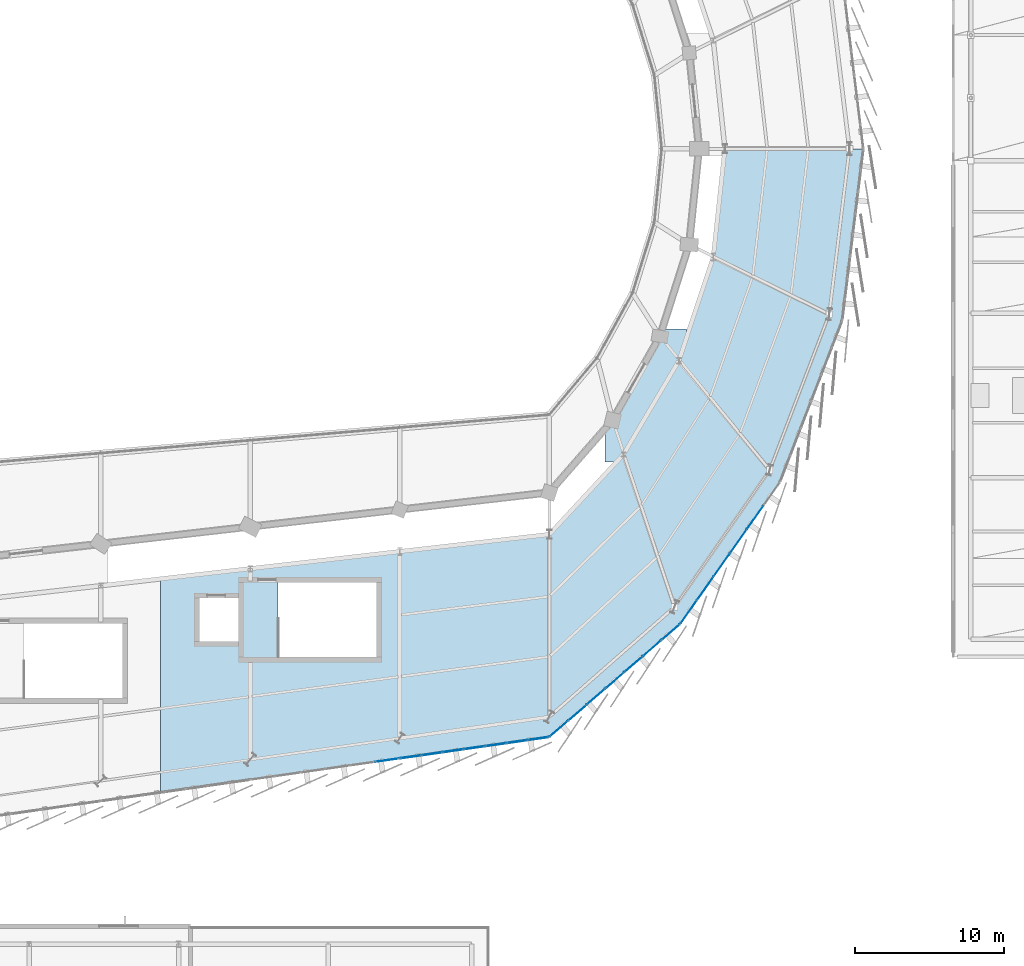
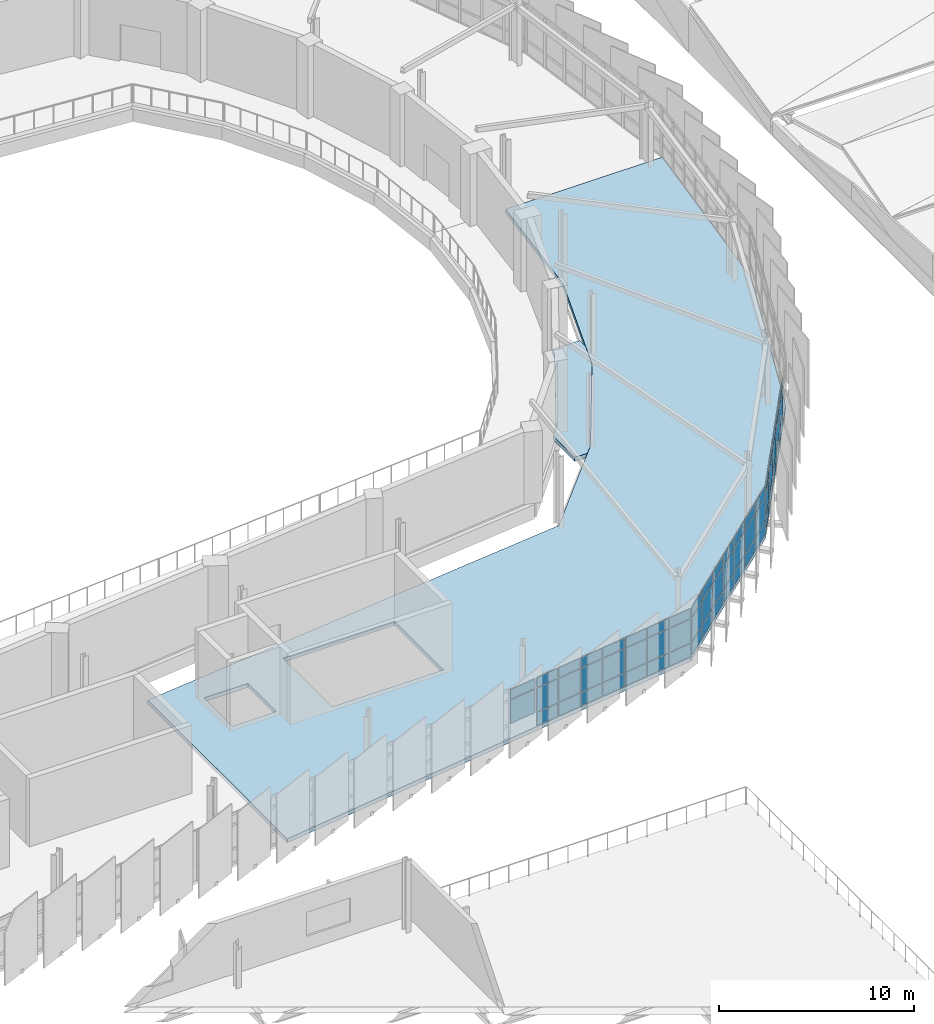
# One storey, part 69 of 87: 59 plates, 2 slabs, 4 elements without a shape of their own.
"""IFC4 building model written with IfcOpenShell, lengths in metres."""

from ifc_helpers import new_model, si_unit, direction, frame, origin, origin_2d, place, context, subcontext, project, spatial, polyline, rectangle, outline, extrude, material, layer, layer_set, type_object, element, aggregate, save


model = new_model("IFC4")

# Units and contexts
model_context = context("Model", 3, precision=1e-05, world=origin(), true_north=direction((0.0, 1.0)))
body_context = subcontext(model_context, "Body", "Model", "MODEL_VIEW")
ifc_project = project(units=[si_unit("LENGTHUNIT", "METRE"), si_unit("AREAUNIT", "SQUARE_METRE"), si_unit("VOLUMEUNIT", "CUBIC_METRE"), si_unit("PLANEANGLEUNIT", "RADIAN"), si_unit("MASSUNIT", "GRAM", prefix="KILO")], contexts=[model_context])

# Site, building, storey
site_placement = place(None, origin())
site = spatial("IfcSite", under=ifc_project, at=site_placement, CompositionType="ELEMENT")
building_placement = place(site_placement, origin())
building = spatial("IfcBuilding", under=site, at=building_placement, Name="Sohan Crest Arena", CompositionType="ELEMENT")
storey_placement = place(building_placement, frame((0.0, 0.0, 18.0)))
storey = spatial("IfcBuildingStorey", under=building, at=storey_placement, Name="L04", CompositionType="ELEMENT", Elevation=18.0)

# Curtain wall, plates
ifc_material_1 = material(Name="Thermally broken anodised aluminium", Category="aluminium")
ifc_layer_1 = layer(ifc_material_1, 0.219970703125, Name="Thermally broken anodised aluminium")
ifc_layer_set_1 = layer_set([ifc_layer_1], Name="Thermally broken anodised aluminium")
curtain_wall_type_1 = type_object("IfcCurtainWallType", Name="ARC-CW03", PredefinedType="NOTDEFINED", material=ifc_layer_set_1)
curtain_wall_1_placement = place(storey_placement, origin())
curtain_wall_1 = element("IfcCurtainWall", 1, at=curtain_wall_1_placement, inside=storey, type_object=curtain_wall_type_1, Name="Unitised curtain wall CW-132", PredefinedType="NOTDEFINED")
ifc_material_2 = material(Name="Low-E double-glazed insulated glass", Category="glass")
ifc_layer_2 = layer(ifc_material_2, 0.028076171875, Name="Low-E double-glazed insulated glass")
ifc_layer_set_2 = layer_set([ifc_layer_2], Name="Low-E double-glazed insulated glass")
plate_type_1 = type_object("IfcPlateType", Name="ARC-CNP01", PredefinedType="CURTAIN_PANEL", material=ifc_layer_set_2)
plate_1_placement = place(storey_placement, frame((177.330078125, 47.023681640625, 0.070068359375), z_axis=(0.0, 0.0, 1.0), x_axis=(0.575424969546, 0.817854574128, 0.0)))
plate_1 = element("IfcPlate", 2, at=plate_1_placement, type_object=plate_type_1, Name="CW-132 panel 1.1", PredefinedType="CURTAIN_PANEL", context=body_context, shape_type="SweptSolid", body=[
    extrude(rectangle(XDim=1.840576171875, YDim=0.028076171875, at=origin_2d()), origin(), (0.0, 0.0, 1.0), 0.794921875),
])
plate_2_placement = place(storey_placement, frame((177.330078125, 47.023681640625, 0.93505859375), z_axis=(0.0, 0.0, 1.0), x_axis=(0.575424969546, 0.817854574128, 0.0)))
plate_2 = element("IfcPlate", 3, at=plate_2_placement, type_object=plate_type_1, Name="CW-132 panel 1.2", PredefinedType="CURTAIN_PANEL", context=body_context, shape_type="SweptSolid", body=[
    extrude(rectangle(XDim=1.840576171875, YDim=0.028076171875, at=origin_2d()), origin(), (0.0, 0.0, 1.0), 1.449951171875),
])
plate_3_placement = place(storey_placement, frame((177.330078125, 47.023681640625, 2.455078125), z_axis=(0.0, 0.0, 1.0), x_axis=(0.575424969546, 0.817854574128, 0.0)))
plate_3 = element("IfcPlate", 4, at=plate_3_placement, type_object=plate_type_1, Name="CW-132 panel 1.3", PredefinedType="CURTAIN_PANEL", context=body_context, shape_type="SweptSolid", body=[
    extrude(rectangle(XDim=1.840576171875, YDim=0.028076171875, at=origin_2d()), origin(), (0.0, 0.0, 1.0), 0.594970703125),
])
plate_4_placement = place(storey_placement, frame((178.43212890625, 48.59033203125, 0.070068359375), z_axis=(0.0, 0.0, 1.0), x_axis=(0.575424969546, 0.817854574128, 0.0)))
plate_4 = element("IfcPlate", 5, at=plate_4_placement, type_object=plate_type_1, Name="CW-132 panel 2.1", PredefinedType="CURTAIN_PANEL", context=body_context, shape_type="SweptSolid", body=[
    extrude(rectangle(XDim=1.870361328125, YDim=0.028076171875, at=origin_2d()), origin(), (0.0, 0.0, 1.0), 0.794921875),
])
plate_5_placement = place(storey_placement, frame((178.43212890625, 48.59033203125, 0.93505859375), z_axis=(0.0, 0.0, 1.0), x_axis=(0.575424969546, 0.817854574128, 0.0)))
plate_5 = element("IfcPlate", 6, at=plate_5_placement, type_object=plate_type_1, Name="CW-132 panel 2.2", PredefinedType="CURTAIN_PANEL", context=body_context, shape_type="SweptSolid", body=[
    extrude(rectangle(XDim=1.870361328125, YDim=0.028076171875, at=origin_2d()), origin(), (0.0, 0.0, 1.0), 1.449951171875),
])
plate_6_placement = place(storey_placement, frame((178.43212890625, 48.59033203125, 2.455078125), z_axis=(0.0, 0.0, 1.0), x_axis=(0.575424969546, 0.817854574128, 0.0)))
plate_6 = element("IfcPlate", 7, at=plate_6_placement, type_object=plate_type_1, Name="CW-132 panel 2.3", PredefinedType="CURTAIN_PANEL", context=body_context, shape_type="SweptSolid", body=[
    extrude(rectangle(XDim=1.870361328125, YDim=0.028076171875, at=origin_2d()), origin(), (0.0, 0.0, 1.0), 0.594970703125),
])
plate_7_placement = place(storey_placement, frame((179.54296875, 50.169189453125, 0.070068359375), z_axis=(0.0, 0.0, 1.0), x_axis=(0.575424969546, 0.817854574128, 0.0)))
plate_7 = element("IfcPlate", 8, at=plate_7_placement, type_object=plate_type_1, Name="CW-132 panel 3.1", PredefinedType="CURTAIN_PANEL", context=body_context, shape_type="SweptSolid", body=[
    extrude(rectangle(XDim=1.870361328125, YDim=0.028076171875, at=origin_2d()), origin(), (0.0, 0.0, 1.0), 0.794921875),
])
plate_8_placement = place(storey_placement, frame((179.54296875, 50.169189453125, 0.93505859375), z_axis=(0.0, 0.0, 1.0), x_axis=(0.575424969546, 0.817854574128, 0.0)))
plate_8 = element("IfcPlate", 9, at=plate_8_placement, type_object=plate_type_1, Name="CW-132 panel 3.2", PredefinedType="CURTAIN_PANEL", context=body_context, shape_type="SweptSolid", body=[
    extrude(rectangle(XDim=1.870361328125, YDim=0.028076171875, at=origin_2d()), origin(), (0.0, 0.0, 1.0), 1.449951171875),
])
plate_9_placement = place(storey_placement, frame((179.54296875, 50.169189453125, 2.455078125), z_axis=(0.0, 0.0, 1.0), x_axis=(0.575424969546, 0.817854574128, 0.0)))
plate_9 = element("IfcPlate", 10, at=plate_9_placement, type_object=plate_type_1, Name="CW-132 panel 3.3", PredefinedType="CURTAIN_PANEL", context=body_context, shape_type="SweptSolid", body=[
    extrude(rectangle(XDim=1.870361328125, YDim=0.028076171875, at=origin_2d()), origin(), (0.0, 0.0, 1.0), 0.594970703125),
])
plate_10_placement = place(storey_placement, frame((180.65380859375, 51.747802734375, 0.070068359375), z_axis=(0.0, 0.0, 1.0), x_axis=(0.575424969546, 0.817854574128, 0.0)))
plate_10 = element("IfcPlate", 11, at=plate_10_placement, type_object=plate_type_1, Name="CW-132 panel 4.1", PredefinedType="CURTAIN_PANEL", context=body_context, shape_type="SweptSolid", body=[
    extrude(rectangle(XDim=1.870361328125, YDim=0.028076171875, at=origin_2d()), origin(), (0.0, 0.0, 1.0), 0.794921875),
])
plate_11_placement = place(storey_placement, frame((180.65380859375, 51.747802734375, 0.93505859375), z_axis=(0.0, 0.0, 1.0), x_axis=(0.575424969546, 0.817854574128, 0.0)))
plate_11 = element("IfcPlate", 12, at=plate_11_placement, type_object=plate_type_1, Name="CW-132 panel 4.2", PredefinedType="CURTAIN_PANEL", context=body_context, shape_type="SweptSolid", body=[
    extrude(rectangle(XDim=1.870361328125, YDim=0.028076171875, at=origin_2d()), origin(), (0.0, 0.0, 1.0), 1.449951171875),
])
plate_12_placement = place(storey_placement, frame((180.65380859375, 51.747802734375, 2.455078125), z_axis=(0.0, 0.0, 1.0), x_axis=(0.575424969546, 0.817854574128, 0.0)))
plate_12 = element("IfcPlate", 13, at=plate_12_placement, type_object=plate_type_1, Name="CW-132 panel 4.3", PredefinedType="CURTAIN_PANEL", context=body_context, shape_type="SweptSolid", body=[
    extrude(rectangle(XDim=1.870361328125, YDim=0.028076171875, at=origin_2d()), origin(), (0.0, 0.0, 1.0), 0.594970703125),
])
plate_13_placement = place(storey_placement, frame((181.7646484375, 53.32666015625, 0.070068359375), z_axis=(0.0, 0.0, 1.0), x_axis=(0.575424969546, 0.817854574128, 0.0)))
plate_13 = element("IfcPlate", 14, at=plate_13_placement, type_object=plate_type_1, Name="CW-132 panel 5.1", PredefinedType="CURTAIN_PANEL", context=body_context, shape_type="SweptSolid", body=[
    extrude(rectangle(XDim=1.870361328125, YDim=0.028076171875, at=origin_2d()), origin(), (0.0, 0.0, 1.0), 0.794921875),
])
plate_14_placement = place(storey_placement, frame((181.7646484375, 53.32666015625, 0.93505859375), z_axis=(0.0, 0.0, 1.0), x_axis=(0.575424969546, 0.817854574128, 0.0)))
plate_14 = element("IfcPlate", 15, at=plate_14_placement, type_object=plate_type_1, Name="CW-132 panel 5.2", PredefinedType="CURTAIN_PANEL", context=body_context, shape_type="SweptSolid", body=[
    extrude(rectangle(XDim=1.870361328125, YDim=0.028076171875, at=origin_2d()), origin(), (0.0, 0.0, 1.0), 1.449951171875),
])
plate_15_placement = place(storey_placement, frame((181.7646484375, 53.32666015625, 2.455078125), z_axis=(0.0, 0.0, 1.0), x_axis=(0.575424969546, 0.817854574128, 0.0)))
plate_15 = element("IfcPlate", 16, at=plate_15_placement, type_object=plate_type_1, Name="CW-132 panel 5.3", PredefinedType="CURTAIN_PANEL", context=body_context, shape_type="SweptSolid", body=[
    extrude(rectangle(XDim=1.870361328125, YDim=0.028076171875, at=origin_2d()), origin(), (0.0, 0.0, 1.0), 0.594970703125),
])
aggregate(curtain_wall_1, [plate_1, plate_2, plate_3, plate_4, plate_5, plate_6, plate_7, plate_8, plate_9, plate_10, plate_11, plate_12, plate_13, plate_14, plate_15])

ifc_layer_3 = layer(ifc_material_1, 0.2099609375, Name="Thermally broken anodised aluminium")
ifc_layer_set_3 = layer_set([ifc_layer_3], Name="Thermally broken anodised aluminium")
curtain_wall_type_2 = type_object("IfcCurtainWallType", Name="ARC-CW06", PredefinedType="NOTDEFINED", material=ifc_layer_set_3)
curtain_wall_2_placement = place(storey_placement, origin())
curtain_wall_2 = element("IfcCurtainWall", 17, at=curtain_wall_2_placement, inside=storey, type_object=curtain_wall_type_2, Name="Unitised curtain wall CW-129", PredefinedType="NOTDEFINED")
ifc_layer_4 = layer(ifc_material_2, 0.031982421875, Name="Low-E double-glazed insulated glass")
ifc_layer_set_4 = layer_set([ifc_layer_4], Name="Low-E double-glazed insulated glass")
plate_type_2 = type_object("IfcPlateType", Name="ARC-CNP02", PredefinedType="CURTAIN_PANEL", material=ifc_layer_set_4)
plate_16_placement = place(storey_placement, frame((157.150634765625, 37.099609375, 0.93505859375), z_axis=(0.0, 0.0, 1.0), x_axis=(0.989957411768, 0.141365918403, 0.0)))
plate_16 = element("IfcPlate", 18, at=plate_16_placement, type_object=plate_type_2, Name="CW-129 panel 6.2", PredefinedType="CURTAIN_PANEL", context=body_context, shape_type="SweptSolid", body=[
    extrude(rectangle(XDim=1.586181640625, YDim=0.031982421875, at=origin_2d()), origin(), (0.0, 0.0, 1.0), 1.449951171875),
])
plate_17_placement = place(storey_placement, frame((157.150634765625, 37.099609375, 2.455078125), z_axis=(0.0, 0.0, 1.0), x_axis=(0.989957411768, 0.141365918403, 0.0)))
plate_17 = element("IfcPlate", 19, at=plate_17_placement, type_object=plate_type_2, Name="CW-129 panel 6.3", PredefinedType="CURTAIN_PANEL", context=body_context, shape_type="SweptSolid", body=[
    extrude(rectangle(XDim=1.586181640625, YDim=0.031982421875, at=origin_2d()), origin(), (0.0, 0.0, 1.0), 0.594970703125),
])
aggregate(curtain_wall_2, [plate_16, plate_17])

ifc_layer_5 = layer(ifc_material_1, 0.179931640625, Name="Thermally broken anodised aluminium")
ifc_layer_set_5 = layer_set([ifc_layer_5], Name="Thermally broken anodised aluminium")
curtain_wall_type_3 = type_object("IfcCurtainWallType", Name="ARC-CW01", PredefinedType="NOTDEFINED", material=ifc_layer_set_5)
curtain_wall_3_placement = place(storey_placement, origin())
curtain_wall_3 = element("IfcCurtainWall", 20, at=curtain_wall_3_placement, inside=storey, type_object=curtain_wall_type_3, Name="Unitised curtain wall CW-130", PredefinedType="NOTDEFINED")
ifc_material_3 = material(Name="Ceramic-fritted solar-control insulated glass", Category="glass")
ifc_layer_6 = layer(ifc_material_3, 0.035888671875, Name="Ceramic-fritted solar-control insulated glass")
ifc_layer_set_6 = layer_set([ifc_layer_6], Name="Ceramic-fritted solar-control insulated glass")
plate_type_3 = type_object("IfcPlateType", Name="ARC-CNP03", PredefinedType="CURTAIN_PANEL", material=ifc_layer_set_6)
plate_18_placement = place(storey_placement, frame((158.731689453125, 37.325439453125, 0.06005859375), z_axis=(0.0, 0.0, 1.0), x_axis=(0.989943553128, 0.141462933734, 0.0)))
plate_18 = element("IfcPlate", 21, at=plate_18_placement, type_object=plate_type_3, Name="CW-130 panel 1.1", PredefinedType="CURTAIN_PANEL", context=body_context, shape_type="SweptSolid", body=[
    extrude(rectangle(XDim=1.338134765625, YDim=0.035888671875, at=origin_2d()), origin(), (0.0, 0.0, 1.0), 0.81005859375),
])
plate_19_placement = place(storey_placement, frame((158.731689453125, 37.325439453125, 0.929931640625), z_axis=(0.0, 0.0, 1.0), x_axis=(0.989943553128, 0.141462933734, 0.0)))
plate_19 = element("IfcPlate", 22, at=plate_19_placement, type_object=plate_type_3, Name="CW-130 panel 1.2", PredefinedType="CURTAIN_PANEL", context=body_context, shape_type="SweptSolid", body=[
    extrude(rectangle(XDim=1.338134765625, YDim=0.035888671875, at=origin_2d()), origin(), (0.0, 0.0, 1.0), 1.4599609375),
])
plate_20_placement = place(storey_placement, frame((158.731689453125, 37.325439453125, 2.44970703125), z_axis=(0.0, 0.0, 1.0), x_axis=(0.989943553128, 0.141462933734, 0.0)))
plate_20 = element("IfcPlate", 23, at=plate_20_placement, type_object=plate_type_3, Name="CW-130 panel 1.3", PredefinedType="CURTAIN_PANEL", context=body_context, shape_type="SweptSolid", body=[
    extrude(rectangle(XDim=1.338134765625, YDim=0.035888671875, at=origin_2d()), origin(), (0.0, 0.0, 1.0), 0.610107421875),
])
plate_21_placement = place(storey_placement, frame((160.142822265625, 37.527099609375, 0.06005859375), z_axis=(0.0, 0.0, 1.0), x_axis=(0.989943553128, 0.141462933734, 0.0)))
plate_21 = element("IfcPlate", 24, at=plate_21_placement, type_object=plate_type_3, Name="CW-130 panel 2.1", PredefinedType="CURTAIN_PANEL", context=body_context, shape_type="SweptSolid", body=[
    extrude(rectangle(XDim=1.373046875, YDim=0.035888671875, at=origin_2d()), origin(), (0.0, 0.0, 1.0), 0.81005859375),
])
plate_22_placement = place(storey_placement, frame((160.142822265625, 37.527099609375, 0.929931640625), z_axis=(0.0, 0.0, 1.0), x_axis=(0.989943553128, 0.141462933734, 0.0)))
plate_22 = element("IfcPlate", 25, at=plate_22_placement, type_object=plate_type_3, Name="CW-130 panel 2.2", PredefinedType="CURTAIN_PANEL", context=body_context, shape_type="SweptSolid", body=[
    extrude(rectangle(XDim=1.373046875, YDim=0.035888671875, at=origin_2d()), origin(), (0.0, 0.0, 1.0), 1.4599609375),
])
plate_23_placement = place(storey_placement, frame((160.142822265625, 37.527099609375, 2.44970703125), z_axis=(0.0, 0.0, 1.0), x_axis=(0.989943553128, 0.141462933734, 0.0)))
plate_23 = element("IfcPlate", 26, at=plate_23_placement, type_object=plate_type_3, Name="CW-130 panel 2.3", PredefinedType="CURTAIN_PANEL", context=body_context, shape_type="SweptSolid", body=[
    extrude(rectangle(XDim=1.373046875, YDim=0.035888671875, at=origin_2d()), origin(), (0.0, 0.0, 1.0), 0.610107421875),
])
plate_24_placement = place(storey_placement, frame((161.571533203125, 37.7314453125, 0.06005859375), z_axis=(0.0, 0.0, 1.0), x_axis=(0.989943553128, 0.141462933734, 0.0)))
plate_24 = element("IfcPlate", 27, at=plate_24_placement, type_object=plate_type_3, Name="CW-130 panel 3.1", PredefinedType="CURTAIN_PANEL", context=body_context, shape_type="SweptSolid", body=[
    extrude(rectangle(XDim=1.373046875, YDim=0.035888671875, at=origin_2d()), origin(), (0.0, 0.0, 1.0), 0.81005859375),
])
plate_25_placement = place(storey_placement, frame((161.571533203125, 37.7314453125, 0.929931640625), z_axis=(0.0, 0.0, 1.0), x_axis=(0.989943553128, 0.141462933734, 0.0)))
plate_25 = element("IfcPlate", 28, at=plate_25_placement, type_object=plate_type_3, Name="CW-130 panel 3.2", PredefinedType="CURTAIN_PANEL", context=body_context, shape_type="SweptSolid", body=[
    extrude(rectangle(XDim=1.373046875, YDim=0.035888671875, at=origin_2d()), origin(), (0.0, 0.0, 1.0), 1.4599609375),
])
plate_26_placement = place(storey_placement, frame((161.571533203125, 37.7314453125, 2.44970703125), z_axis=(0.0, 0.0, 1.0), x_axis=(0.989943553128, 0.141462933734, 0.0)))
plate_26 = element("IfcPlate", 29, at=plate_26_placement, type_object=plate_type_3, Name="CW-130 panel 3.3", PredefinedType="CURTAIN_PANEL", context=body_context, shape_type="SweptSolid", body=[
    extrude(rectangle(XDim=1.373046875, YDim=0.035888671875, at=origin_2d()), origin(), (0.0, 0.0, 1.0), 0.610107421875),
])
plate_27_placement = place(storey_placement, frame((163.0, 37.935546875, 0.06005859375), z_axis=(0.0, 0.0, 1.0), x_axis=(0.989943553128, 0.141462933734, 0.0)))
plate_27 = element("IfcPlate", 30, at=plate_27_placement, type_object=plate_type_3, Name="CW-130 panel 4.1", PredefinedType="CURTAIN_PANEL", context=body_context, shape_type="SweptSolid", body=[
    extrude(rectangle(XDim=1.373046875, YDim=0.035888671875, at=origin_2d()), origin(), (0.0, 0.0, 1.0), 0.81005859375),
])
plate_28_placement = place(storey_placement, frame((163.0, 37.935546875, 0.929931640625), z_axis=(0.0, 0.0, 1.0), x_axis=(0.989943553128, 0.141462933734, 0.0)))
plate_28 = element("IfcPlate", 31, at=plate_28_placement, type_object=plate_type_3, Name="CW-130 panel 4.2", PredefinedType="CURTAIN_PANEL", context=body_context, shape_type="SweptSolid", body=[
    extrude(rectangle(XDim=1.373046875, YDim=0.035888671875, at=origin_2d()), origin(), (0.0, 0.0, 1.0), 1.4599609375),
])
plate_29_placement = place(storey_placement, frame((163.0, 37.935546875, 2.44970703125), z_axis=(0.0, 0.0, 1.0), x_axis=(0.989943553128, 0.141462933734, 0.0)))
plate_29 = element("IfcPlate", 32, at=plate_29_placement, type_object=plate_type_3, Name="CW-130 panel 4.3", PredefinedType="CURTAIN_PANEL", context=body_context, shape_type="SweptSolid", body=[
    extrude(rectangle(XDim=1.373046875, YDim=0.035888671875, at=origin_2d()), origin(), (0.0, 0.0, 1.0), 0.610107421875),
])
plate_30_placement = place(storey_placement, frame((164.428466796875, 38.1396484375, 0.06005859375), z_axis=(0.0, 0.0, 1.0), x_axis=(0.989943553128, 0.141462933734, 0.0)))
plate_30 = element("IfcPlate", 33, at=plate_30_placement, type_object=plate_type_3, Name="CW-130 panel 5.1", PredefinedType="CURTAIN_PANEL", context=body_context, shape_type="SweptSolid", body=[
    extrude(rectangle(XDim=1.373046875, YDim=0.035888671875, at=origin_2d()), origin(), (0.0, 0.0, 1.0), 0.81005859375),
])
plate_31_placement = place(storey_placement, frame((164.428466796875, 38.1396484375, 0.929931640625), z_axis=(0.0, 0.0, 1.0), x_axis=(0.989943553128, 0.141462933734, 0.0)))
plate_31 = element("IfcPlate", 34, at=plate_31_placement, type_object=plate_type_3, Name="CW-130 panel 5.2", PredefinedType="CURTAIN_PANEL", context=body_context, shape_type="SweptSolid", body=[
    extrude(rectangle(XDim=1.373046875, YDim=0.035888671875, at=origin_2d()), origin(), (0.0, 0.0, 1.0), 1.4599609375),
])
plate_32_placement = place(storey_placement, frame((164.428466796875, 38.1396484375, 2.44970703125), z_axis=(0.0, 0.0, 1.0), x_axis=(0.989943553128, 0.141462933734, 0.0)))
plate_32 = element("IfcPlate", 35, at=plate_32_placement, type_object=plate_type_3, Name="CW-130 panel 5.3", PredefinedType="CURTAIN_PANEL", context=body_context, shape_type="SweptSolid", body=[
    extrude(rectangle(XDim=1.373046875, YDim=0.035888671875, at=origin_2d()), origin(), (0.0, 0.0, 1.0), 0.610107421875),
])
plate_33_placement = place(storey_placement, frame((165.857177734375, 38.34375, 0.06005859375), z_axis=(0.0, 0.0, 1.0), x_axis=(0.989943553128, 0.141462933734, 0.0)))
plate_33 = element("IfcPlate", 36, at=plate_33_placement, type_object=plate_type_3, Name="CW-130 panel 6.1", PredefinedType="CURTAIN_PANEL", context=body_context, shape_type="SweptSolid", body=[
    extrude(rectangle(XDim=1.373046875, YDim=0.035888671875, at=origin_2d()), origin(), (0.0, 0.0, 1.0), 0.81005859375),
])
plate_34_placement = place(storey_placement, frame((165.857177734375, 38.34375, 0.929931640625), z_axis=(0.0, 0.0, 1.0), x_axis=(0.989943553128, 0.141462933734, 0.0)))
plate_34 = element("IfcPlate", 37, at=plate_34_placement, type_object=plate_type_3, Name="CW-130 panel 6.2", PredefinedType="CURTAIN_PANEL", context=body_context, shape_type="SweptSolid", body=[
    extrude(rectangle(XDim=1.373046875, YDim=0.035888671875, at=origin_2d()), origin(), (0.0, 0.0, 1.0), 1.4599609375),
])
plate_35_placement = place(storey_placement, frame((165.857177734375, 38.34375, 2.44970703125), z_axis=(0.0, 0.0, 1.0), x_axis=(0.989943553128, 0.141462933734, 0.0)))
plate_35 = element("IfcPlate", 38, at=plate_35_placement, type_object=plate_type_3, Name="CW-130 panel 6.3", PredefinedType="CURTAIN_PANEL", context=body_context, shape_type="SweptSolid", body=[
    extrude(rectangle(XDim=1.373046875, YDim=0.035888671875, at=origin_2d()), origin(), (0.0, 0.0, 1.0), 0.610107421875),
])
plate_36_placement = place(storey_placement, frame((167.268310546875, 38.54541015625, 0.06005859375), z_axis=(0.0, 0.0, 1.0), x_axis=(0.989943553128, 0.141462933734, 0.0)))
plate_36 = element("IfcPlate", 39, at=plate_36_placement, type_object=plate_type_3, Name="CW-130 panel 7.1", PredefinedType="CURTAIN_PANEL", context=body_context, shape_type="SweptSolid", body=[
    extrude(rectangle(XDim=1.338134765625, YDim=0.035888671875, at=origin_2d()), origin(), (0.0, 0.0, 1.0), 0.81005859375),
])
plate_37_placement = place(storey_placement, frame((167.268310546875, 38.54541015625, 0.929931640625), z_axis=(0.0, 0.0, 1.0), x_axis=(0.989943553128, 0.141462933734, 0.0)))
plate_37 = element("IfcPlate", 40, at=plate_37_placement, type_object=plate_type_3, Name="CW-130 panel 7.2", PredefinedType="CURTAIN_PANEL", context=body_context, shape_type="SweptSolid", body=[
    extrude(rectangle(XDim=1.338134765625, YDim=0.035888671875, at=origin_2d()), origin(), (0.0, 0.0, 1.0), 1.4599609375),
])
plate_38_placement = place(storey_placement, frame((167.268310546875, 38.54541015625, 2.44970703125), z_axis=(0.0, 0.0, 1.0), x_axis=(0.989943553128, 0.141462933734, 0.0)))
plate_38 = element("IfcPlate", 41, at=plate_38_placement, type_object=plate_type_3, Name="CW-130 panel 7.3", PredefinedType="CURTAIN_PANEL", context=body_context, shape_type="SweptSolid", body=[
    extrude(rectangle(XDim=1.338134765625, YDim=0.035888671875, at=origin_2d()), origin(), (0.0, 0.0, 1.0), 0.610107421875),
])
aggregate(curtain_wall_3, [plate_18, plate_19, plate_20, plate_21, plate_22, plate_23, plate_24, plate_25, plate_26, plate_27, plate_28, plate_29, plate_30, plate_31, plate_32, plate_33, plate_34, plate_35, plate_36, plate_37, plate_38])

ifc_layer_7 = layer(ifc_material_1, 0.199951171875, Name="Thermally broken anodised aluminium")
ifc_layer_set_7 = layer_set([ifc_layer_7], Name="Thermally broken anodised aluminium")
curtain_wall_type_4 = type_object("IfcCurtainWallType", Name="ARC-CW02", PredefinedType="NOTDEFINED", material=ifc_layer_set_7)
curtain_wall_4_placement = place(storey_placement, origin())
curtain_wall_4 = element("IfcCurtainWall", 42, at=curtain_wall_4_placement, inside=storey, type_object=curtain_wall_type_4, Name="Unitised curtain wall CW-131", PredefinedType="NOTDEFINED")
ifc_material_4 = material(Name="Insulated polychrome ceramic spandrel panel", Category="masonry")
ifc_layer_8 = layer(ifc_material_4, 0.0419921875, Name="Insulated polychrome ceramic spandrel panel")
ifc_layer_set_8 = layer_set([ifc_layer_8], Name="Insulated polychrome ceramic spandrel panel")
plate_type_4 = type_object("IfcPlateType", Name="ARC-CNP04", PredefinedType="CURTAIN_PANEL", material=ifc_layer_set_8)
plate_39_placement = place(storey_placement, frame((168.640380859375, 39.203125, 0.06494140625), z_axis=(0.0, 0.0, 1.0), x_axis=(0.756764770633, 0.653687296748, 0.0)))
plate_39 = element("IfcPlate", 43, at=plate_39_placement, type_object=plate_type_4, Name="CW-131 panel 1.1", PredefinedType="CURTAIN_PANEL", context=body_context, shape_type="SweptSolid", body=[
    extrude(rectangle(XDim=1.542236328125, YDim=0.0419921875, at=origin_2d()), origin(), (0.0, 0.0, 1.0), 0.802490234375),
])
plate_40_placement = place(storey_placement, frame((168.640380859375, 39.203125, 0.932373046875), z_axis=(0.0, 0.0, 1.0), x_axis=(0.756764770633, 0.653687296748, 0.0)))
plate_40 = element("IfcPlate", 44, at=plate_40_placement, type_object=plate_type_4, Name="CW-131 panel 1.2", PredefinedType="CURTAIN_PANEL", context=body_context, shape_type="SweptSolid", body=[
    extrude(rectangle(XDim=1.542236328125, YDim=0.0419921875, at=origin_2d()), origin(), (0.0, 0.0, 1.0), 1.455078125),
])
plate_41_placement = place(storey_placement, frame((168.640380859375, 39.203125, 2.452392578125), z_axis=(0.0, 0.0, 1.0), x_axis=(0.756764770633, 0.653687296748, 0.0)))
plate_41 = element("IfcPlate", 45, at=plate_41_placement, type_object=plate_type_4, Name="CW-131 panel 1.3", PredefinedType="CURTAIN_PANEL", context=body_context, shape_type="SweptSolid", body=[
    extrude(rectangle(XDim=1.542236328125, YDim=0.0419921875, at=origin_2d()), origin(), (0.0, 0.0, 1.0), 0.6025390625),
])
plate_42_placement = place(storey_placement, frame((169.87841796875, 40.2724609375, 0.06494140625), z_axis=(0.0, 0.0, 1.0), x_axis=(0.756764770633, 0.653687296748, 0.0)))
plate_42 = element("IfcPlate", 46, at=plate_42_placement, type_object=plate_type_4, Name="CW-131 panel 2.1", PredefinedType="CURTAIN_PANEL", context=body_context, shape_type="SweptSolid", body=[
    extrude(rectangle(XDim=1.579833984375, YDim=0.0419921875, at=origin_2d()), origin(), (0.0, 0.0, 1.0), 0.802490234375),
])
plate_43_placement = place(storey_placement, frame((169.87841796875, 40.2724609375, 0.932373046875), z_axis=(0.0, 0.0, 1.0), x_axis=(0.756764770633, 0.653687296748, 0.0)))
plate_43 = element("IfcPlate", 47, at=plate_43_placement, type_object=plate_type_4, Name="CW-131 panel 2.2", PredefinedType="CURTAIN_PANEL", context=body_context, shape_type="SweptSolid", body=[
    extrude(rectangle(XDim=1.579833984375, YDim=0.0419921875, at=origin_2d()), origin(), (0.0, 0.0, 1.0), 1.455078125),
])
plate_44_placement = place(storey_placement, frame((169.87841796875, 40.2724609375, 2.452392578125), z_axis=(0.0, 0.0, 1.0), x_axis=(0.756764770633, 0.653687296748, 0.0)))
plate_44 = element("IfcPlate", 48, at=plate_44_placement, type_object=plate_type_4, Name="CW-131 panel 2.3", PredefinedType="CURTAIN_PANEL", context=body_context, shape_type="SweptSolid", body=[
    extrude(rectangle(XDim=1.579833984375, YDim=0.0419921875, at=origin_2d()), origin(), (0.0, 0.0, 1.0), 0.6025390625),
])
plate_45_placement = place(storey_placement, frame((171.130615234375, 41.354248046875, 0.06494140625), z_axis=(0.0, 0.0, 1.0), x_axis=(0.756764770633, 0.653687296748, 0.0)))
plate_45 = element("IfcPlate", 49, at=plate_45_placement, type_object=plate_type_4, Name="CW-131 panel 3.1", PredefinedType="CURTAIN_PANEL", context=body_context, shape_type="SweptSolid", body=[
    extrude(rectangle(XDim=1.579833984375, YDim=0.0419921875, at=origin_2d()), origin(), (0.0, 0.0, 1.0), 0.802490234375),
])
plate_46_placement = place(storey_placement, frame((171.130615234375, 41.354248046875, 0.932373046875), z_axis=(0.0, 0.0, 1.0), x_axis=(0.756764770633, 0.653687296748, 0.0)))
plate_46 = element("IfcPlate", 50, at=plate_46_placement, type_object=plate_type_4, Name="CW-131 panel 3.2", PredefinedType="CURTAIN_PANEL", context=body_context, shape_type="SweptSolid", body=[
    extrude(rectangle(XDim=1.579833984375, YDim=0.0419921875, at=origin_2d()), origin(), (0.0, 0.0, 1.0), 1.455078125),
])
plate_47_placement = place(storey_placement, frame((171.130615234375, 41.354248046875, 2.452392578125), z_axis=(0.0, 0.0, 1.0), x_axis=(0.756764770633, 0.653687296748, 0.0)))
plate_47 = element("IfcPlate", 51, at=plate_47_placement, type_object=plate_type_4, Name="CW-131 panel 3.3", PredefinedType="CURTAIN_PANEL", context=body_context, shape_type="SweptSolid", body=[
    extrude(rectangle(XDim=1.579833984375, YDim=0.0419921875, at=origin_2d()), origin(), (0.0, 0.0, 1.0), 0.6025390625),
])
plate_48_placement = place(storey_placement, frame((172.383056640625, 42.43603515625, 0.06494140625), z_axis=(0.0, 0.0, 1.0), x_axis=(0.756764770633, 0.653687296748, 0.0)))
plate_48 = element("IfcPlate", 52, at=plate_48_placement, type_object=plate_type_4, Name="CW-131 panel 4.1", PredefinedType="CURTAIN_PANEL", context=body_context, shape_type="SweptSolid", body=[
    extrude(rectangle(XDim=1.579833984375, YDim=0.0419921875, at=origin_2d()), origin(), (0.0, 0.0, 1.0), 0.802490234375),
])
plate_49_placement = place(storey_placement, frame((172.383056640625, 42.43603515625, 0.932373046875), z_axis=(0.0, 0.0, 1.0), x_axis=(0.756764770633, 0.653687296748, 0.0)))
plate_49 = element("IfcPlate", 53, at=plate_49_placement, type_object=plate_type_4, Name="CW-131 panel 4.2", PredefinedType="CURTAIN_PANEL", context=body_context, shape_type="SweptSolid", body=[
    extrude(rectangle(XDim=1.579833984375, YDim=0.0419921875, at=origin_2d()), origin(), (0.0, 0.0, 1.0), 1.455078125),
])
plate_50_placement = place(storey_placement, frame((172.383056640625, 42.43603515625, 2.452392578125), z_axis=(0.0, 0.0, 1.0), x_axis=(0.756764770633, 0.653687296748, 0.0)))
plate_50 = element("IfcPlate", 54, at=plate_50_placement, type_object=plate_type_4, Name="CW-131 panel 4.3", PredefinedType="CURTAIN_PANEL", context=body_context, shape_type="SweptSolid", body=[
    extrude(rectangle(XDim=1.579833984375, YDim=0.0419921875, at=origin_2d()), origin(), (0.0, 0.0, 1.0), 0.6025390625),
])
plate_51_placement = place(storey_placement, frame((173.63525390625, 43.517822265625, 0.06494140625), z_axis=(0.0, 0.0, 1.0), x_axis=(0.756764770633, 0.653687296748, 0.0)))
plate_51 = element("IfcPlate", 55, at=plate_51_placement, type_object=plate_type_4, Name="CW-131 panel 5.1", PredefinedType="CURTAIN_PANEL", context=body_context, shape_type="SweptSolid", body=[
    extrude(rectangle(XDim=1.579833984375, YDim=0.0419921875, at=origin_2d()), origin(), (0.0, 0.0, 1.0), 0.802490234375),
])
plate_52_placement = place(storey_placement, frame((173.63525390625, 43.517822265625, 0.932373046875), z_axis=(0.0, 0.0, 1.0), x_axis=(0.756764770633, 0.653687296748, 0.0)))
plate_52 = element("IfcPlate", 56, at=plate_52_placement, type_object=plate_type_4, Name="CW-131 panel 5.2", PredefinedType="CURTAIN_PANEL", context=body_context, shape_type="SweptSolid", body=[
    extrude(rectangle(XDim=1.579833984375, YDim=0.0419921875, at=origin_2d()), origin(), (0.0, 0.0, 1.0), 1.455078125),
])
plate_53_placement = place(storey_placement, frame((173.63525390625, 43.517822265625, 2.452392578125), z_axis=(0.0, 0.0, 1.0), x_axis=(0.756764770633, 0.653687296748, 0.0)))
plate_53 = element("IfcPlate", 57, at=plate_53_placement, type_object=plate_type_4, Name="CW-131 panel 5.3", PredefinedType="CURTAIN_PANEL", context=body_context, shape_type="SweptSolid", body=[
    extrude(rectangle(XDim=1.579833984375, YDim=0.0419921875, at=origin_2d()), origin(), (0.0, 0.0, 1.0), 0.6025390625),
])
plate_54_placement = place(storey_placement, frame((174.887451171875, 44.599365234375, 0.06494140625), z_axis=(0.0, 0.0, 1.0), x_axis=(0.756764770633, 0.653687296748, 0.0)))
plate_54 = element("IfcPlate", 58, at=plate_54_placement, type_object=plate_type_4, Name="CW-131 panel 6.1", PredefinedType="CURTAIN_PANEL", context=body_context, shape_type="SweptSolid", body=[
    extrude(rectangle(XDim=1.579833984375, YDim=0.0419921875, at=origin_2d()), origin(), (0.0, 0.0, 1.0), 0.802490234375),
])
plate_55_placement = place(storey_placement, frame((174.887451171875, 44.599365234375, 0.932373046875), z_axis=(0.0, 0.0, 1.0), x_axis=(0.756764770633, 0.653687296748, 0.0)))
plate_55 = element("IfcPlate", 59, at=plate_55_placement, type_object=plate_type_4, Name="CW-131 panel 6.2", PredefinedType="CURTAIN_PANEL", context=body_context, shape_type="SweptSolid", body=[
    extrude(rectangle(XDim=1.579833984375, YDim=0.0419921875, at=origin_2d()), origin(), (0.0, 0.0, 1.0), 1.455078125),
])
plate_56_placement = place(storey_placement, frame((174.887451171875, 44.599365234375, 2.452392578125), z_axis=(0.0, 0.0, 1.0), x_axis=(0.756764770633, 0.653687296748, 0.0)))
plate_56 = element("IfcPlate", 60, at=plate_56_placement, type_object=plate_type_4, Name="CW-131 panel 6.3", PredefinedType="CURTAIN_PANEL", context=body_context, shape_type="SweptSolid", body=[
    extrude(rectangle(XDim=1.579833984375, YDim=0.0419921875, at=origin_2d()), origin(), (0.0, 0.0, 1.0), 0.6025390625),
])
plate_57_placement = place(storey_placement, frame((176.125732421875, 45.6689453125, 0.06494140625), z_axis=(0.0, 0.0, 1.0), x_axis=(0.756764770633, 0.653687296748, 0.0)))
plate_57 = element("IfcPlate", 61, at=plate_57_placement, type_object=plate_type_4, Name="CW-131 panel 7.1", PredefinedType="CURTAIN_PANEL", context=body_context, shape_type="SweptSolid", body=[
    extrude(rectangle(XDim=1.542236328125, YDim=0.0419921875, at=origin_2d()), origin(), (0.0, 0.0, 1.0), 0.802490234375),
])
plate_58_placement = place(storey_placement, frame((176.125732421875, 45.6689453125, 0.932373046875), z_axis=(0.0, 0.0, 1.0), x_axis=(0.756764770633, 0.653687296748, 0.0)))
plate_58 = element("IfcPlate", 62, at=plate_58_placement, type_object=plate_type_4, Name="CW-131 panel 7.2", PredefinedType="CURTAIN_PANEL", context=body_context, shape_type="SweptSolid", body=[
    extrude(rectangle(XDim=1.542236328125, YDim=0.0419921875, at=origin_2d()), origin(), (0.0, 0.0, 1.0), 1.455078125),
])
plate_59_placement = place(storey_placement, frame((176.125732421875, 45.6689453125, 2.452392578125), z_axis=(0.0, 0.0, 1.0), x_axis=(0.756764770633, 0.653687296748, 0.0)))
plate_59 = element("IfcPlate", 63, at=plate_59_placement, type_object=plate_type_4, Name="CW-131 panel 7.3", PredefinedType="CURTAIN_PANEL", context=body_context, shape_type="SweptSolid", body=[
    extrude(rectangle(XDim=1.542236328125, YDim=0.0419921875, at=origin_2d()), origin(), (0.0, 0.0, 1.0), 0.6025390625),
])
aggregate(curtain_wall_4, [plate_39, plate_40, plate_41, plate_42, plate_43, plate_44, plate_45, plate_46, plate_47, plate_48, plate_49, plate_50, plate_51, plate_52, plate_53, plate_54, plate_55, plate_56, plate_57, plate_58, plate_59])

# Slabs
ifc_material_5 = material(Name="Concrete C40/50", Category="concrete")
ifc_layer_9 = layer(ifc_material_5, 0.25, Name="Concrete C40/50")
ifc_layer_set_9 = layer_set([ifc_layer_9], Name="Concrete C40/50")
slab_type = type_object("IfcSlabType", Name="SL-FLR3", PredefinedType="FLOOR", material=ifc_layer_set_9)
slab_1_placement = place(storey_placement, frame((0.0, 0.0, -0.25)))
element("IfcSlab", 64, at=slab_1_placement, inside=storey, type_object=slab_type, Name="Concourse ring L04 sector 6 SL-L04-V2S6", PredefinedType="FLOOR", context=body_context, shape_type="SweptSolid", body=[
    extrude(outline(polyline([(187.596923828125, 66.50390625), (183.430908203125, 55.695068359375), (176.76611328125, 46.221923828125), (168.0, 38.64990234375), (142.0, 34.93603515625), (142.0, 49.22802734375), (168.0, 52.199951171875), (172.9609375, 57.547119140625), (176.674072265625, 63.824951171875), (178.971923828125, 70.748046875), (179.75, 78.0), (189.013916015625, 78.0), (187.596923828125, 66.50390625)]), holes=[polyline([(156.449951171875, 49.0), (149.8701171875, 49.0), (149.8701171875, 44.0), (156.449951171875, 44.0), (156.449951171875, 49.0)]), polyline([(147.199951171875, 45.050048828125), (147.199951171875, 47.949951171875), (144.60009765625, 47.949951171875), (144.60009765625, 45.050048828125), (147.199951171875, 45.050048828125)])]), origin(), (0.0, 0.0, 1.0), 0.25),
])
slab_2_placement = place(storey_placement, frame((0.0, 0.0, -0.25)))
element("IfcSlab", 65, at=slab_2_placement, inside=storey, type_object=slab_type, Name="Seismic joint threshold slab L04 SL-TH-L04-20", PredefinedType="FLOOR", context=body_context, shape_type="SweptSolid", body=[
    extrude(outline(polyline([(176.674072265625, 63.824951171875), (172.9609375, 57.547119140625), (172.4970703125, 57.047119140625), (171.742919921875, 57.047119140625), (171.742919921875, 59.27490234375), (172.242919921875, 59.845947265625), (175.408935546875, 65.455078125), (175.568115234375, 65.955078125), (177.174072265625, 65.955078125), (177.174072265625, 65.3310546875), (176.674072265625, 63.824951171875)])), origin(), (0.0, 0.0, 1.0), 0.25),
])

save(model, "model.ifc")
